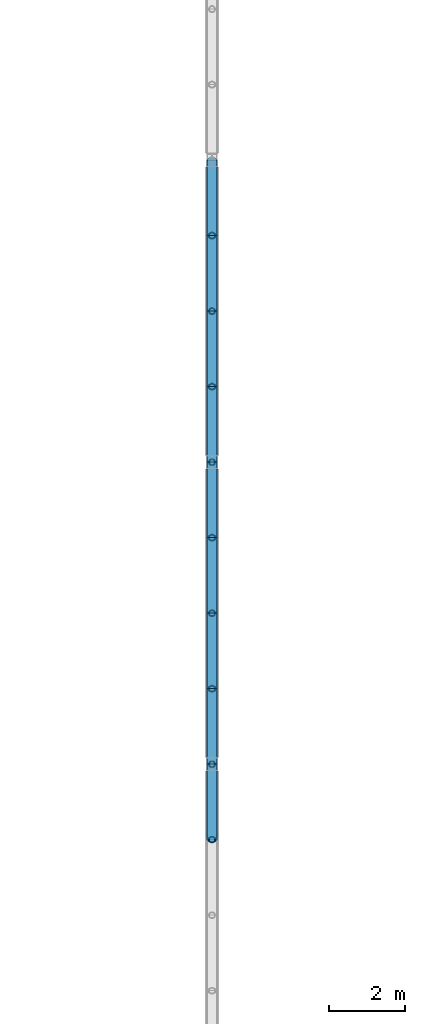
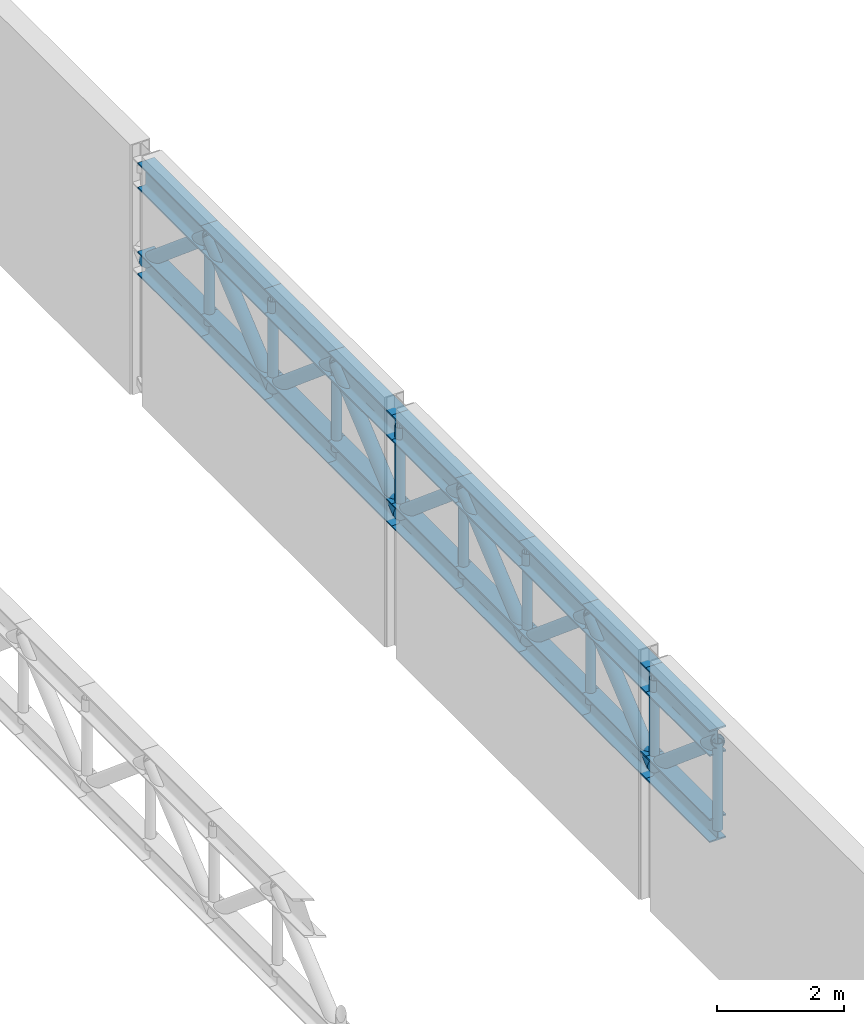
# One storey, part 87 of 143: 36 members.
"""IFC4 building model written with IfcOpenShell, lengths in metres."""

from ifc_helpers import new_model, si_unit, derived_unit, direction, frame, origin, origin_2d, place, context, subcontext, project, spatial, hollow_circle, i_section, extrude, material, material_profile, profile_set, type_object, element, save


model = new_model("IFC4")

# Units and contexts
model_context = context("Model", 3, precision=1e-05, world=origin(), true_north=direction((0.0, 1.0)))
body_context = subcontext(model_context, "Body", "Model", "MODEL_VIEW")
ifc_project = project(units=[si_unit("LENGTHUNIT", "METRE"), si_unit("AREAUNIT", "SQUARE_METRE"), si_unit("VOLUMEUNIT", "CUBIC_METRE"), si_unit("PLANEANGLEUNIT", "RADIAN"), si_unit("MASSUNIT", "GRAM", prefix="KILO"), derived_unit("THERMALTRANSMITTANCEUNIT", [(si_unit("POWERUNIT", "WATT"), 1), (si_unit("LENGTHUNIT", "METRE"), -2), (si_unit("THERMODYNAMICTEMPERATUREUNIT", "KELVIN"), -1)])], contexts=[model_context])

# Site, building, storey
site_placement = place(None, origin())
site = spatial("IfcSite", under=ifc_project, at=site_placement, CompositionType="ELEMENT")
building_placement = place(site_placement, origin())
building = spatial("IfcBuilding", under=site, at=building_placement, Name="Keldorne Ridge Multi-Sports Centre", CompositionType="ELEMENT")
storey_placement = place(building_placement, frame((0.0, 0.0, 4.800048828125)))
storey = spatial("IfcBuildingStorey", under=building, at=storey_placement, Name="L01", CompositionType="ELEMENT", Elevation=4.800048828125)

# Members
ifc_material = material(Name="Steel S355", Category="steel")
ifc_material_profile_1 = material_profile(ifc_material, i_section(OverallWidth=0.300048828125, OverallDepth=0.5, WebThickness=0.014404296875, FlangeThickness=0.028076171875, FilletRadius=0.027099609375, at=origin_2d()), Name="HEB 500")
ifc_profile_set_1 = profile_set([ifc_material_profile_1], Name="Steel S355")
member_type_1 = type_object("IfcMemberType", Name="MEM-TC-03", PredefinedType="CHORD", material=ifc_profile_set_1)
for number, where, z_axis, x_axis, name in (
    (1, (168.0, 20.0, 4.31005859375), (0.0, 1.0, 0.0), (-1.0, 0.0, 0.0), "Stacked Courts Warren TRUSS WT-L02-09 top chord 8"),
    (2, (168.0, 22.0, 4.31005859375), (0.0, 1.0, 0.0), (-1.0, 0.0, 0.0), "Stacked Courts Warren TRUSS WT-L02-09 top chord 9"),
    (3, (168.0, 24.0, 4.31005859375), (0.0, 1.0, 0.0), (-1.0, 0.0, 0.0), "Stacked Courts Warren TRUSS WT-L02-09 top chord 10"),
    (4, (168.0, 26.0, 4.31005859375), (0.0, 1.0, 0.0), (-1.0, 0.0, 0.0), "Stacked Courts Warren TRUSS WT-L02-09 top chord 11"),
    (5, (168.0, 28.0, 4.31005859375), (0.0, 1.0, 0.0), (-1.0, 0.0, 0.0), "Stacked Courts Warren TRUSS WT-L02-09 top chord 12"),
    (6, (168.0, 30.0, 4.31005859375), (0.0, 1.0, 0.0), (-1.0, 0.0, 0.0), "Stacked Courts Warren TRUSS WT-L02-09 top chord 13"),
    (7, (168.0, 32.0, 4.31005859375), (0.0, 1.0, 0.0), (-1.0, 0.0, 0.0), "Stacked Courts Warren TRUSS WT-L02-09 top chord 14"),
    (8, (168.0, 34.0, 4.31005859375), (0.0, 1.0, 0.0), (-1.0, 0.0, 0.0), "Stacked Courts Warren TRUSS WT-L02-09 top chord 15"),
    (9, (168.0, 36.0, 4.31005859375), (0.0, 1.0, 0.0), (-1.0, 0.0, 0.0), "Stacked Courts Warren TRUSS WT-L02-09 top chord 16"),
):
    element("IfcMember", number, at=place(storey_placement, frame(where, z_axis=z_axis, x_axis=x_axis)), inside=storey, type_object=member_type_1, Name=name, PredefinedType="CHORD", context=body_context, shape_type="SweptSolid", body=[
        extrude(i_section(OverallWidth=0.300048828125, OverallDepth=0.5, WebThickness=0.014404296875, FlangeThickness=0.028076171875, FilletRadius=0.027099609375, at=origin_2d()), origin(), (0.0, 0.0, 1.0), 2.0),
    ])
ifc_material_profile_2 = material_profile(ifc_material, i_section(OverallWidth=0.300048828125, OverallDepth=0.449951171875, WebThickness=0.013916015625, FlangeThickness=0.02587890625, FilletRadius=0.027099609375, at=origin_2d()), Name="HEB 450")
ifc_profile_set_2 = profile_set([ifc_material_profile_2], Name="Steel S355")
member_type_2 = type_object("IfcMemberType", Name="MEM-TC-04", PredefinedType="CHORD", material=ifc_profile_set_2)
for number, where, z_axis, x_axis, name in (
    (10, (168.0, 20.0, 2.6298828125), (0.0, 1.0, 0.0), (-1.0, 0.0, 0.0), "Stacked Courts Warren TRUSS WT-L02-09 bottom chord 8"),
    (11, (168.0, 22.0, 2.6298828125), (0.0, 1.0, 0.0), (-1.0, 0.0, 0.0), "Stacked Courts Warren TRUSS WT-L02-09 bottom chord 9"),
    (12, (168.0, 24.0, 2.6298828125), (0.0, 1.0, 0.0), (-1.0, 0.0, 0.0), "Stacked Courts Warren TRUSS WT-L02-09 bottom chord 10"),
    (13, (168.0, 26.0, 2.6298828125), (0.0, 1.0, 0.0), (-1.0, 0.0, 0.0), "Stacked Courts Warren TRUSS WT-L02-09 bottom chord 11"),
    (14, (168.0, 28.0, 2.6298828125), (0.0, 1.0, 0.0), (-1.0, 0.0, 0.0), "Stacked Courts Warren TRUSS WT-L02-09 bottom chord 12"),
    (15, (168.0, 30.0, 2.6298828125), (0.0, 1.0, 0.0), (-1.0, 0.0, 0.0), "Stacked Courts Warren TRUSS WT-L02-09 bottom chord 13"),
    (16, (168.0, 32.0, 2.6298828125), (0.0, 1.0, 0.0), (-1.0, 0.0, 0.0), "Stacked Courts Warren TRUSS WT-L02-09 bottom chord 14"),
    (17, (168.0, 34.0, 2.6298828125), (0.0, 1.0, 0.0), (-1.0, 0.0, 0.0), "Stacked Courts Warren TRUSS WT-L02-09 bottom chord 15"),
    (18, (168.0, 36.0, 2.6298828125), (0.0, 1.0, 0.0), (-1.0, 0.0, 0.0), "Stacked Courts Warren TRUSS WT-L02-09 bottom chord 16"),
):
    element("IfcMember", number, at=place(storey_placement, frame(where, z_axis=z_axis, x_axis=x_axis)), inside=storey, type_object=member_type_2, Name=name, PredefinedType="CHORD", context=body_context, shape_type="SweptSolid", body=[
        extrude(i_section(OverallWidth=0.300048828125, OverallDepth=0.449951171875, WebThickness=0.013916015625, FlangeThickness=0.02587890625, FilletRadius=0.027099609375, at=origin_2d()), origin(), (0.0, 0.0, 1.0), 2.0),
    ])
ifc_material_profile_3 = material_profile(ifc_material, hollow_circle(Radius=0.122314453125, WallThickness=0.012451171875, at=origin_2d()), Name="CHS 244.5x12.5")
ifc_profile_set_3 = profile_set([ifc_material_profile_3], Name="Steel S355")
member_type_3 = type_object("IfcMemberType", Name="MEM-TD-02", PredefinedType="BRACE", material=ifc_profile_set_3)
for number, where, z_axis, x_axis, name in (
    (19, (168.0, 20.0, 4.31005859375), (0.0, 0.765671721121, -0.643231541108), (-1.0, 0.0, 0.0), "Stacked Courts Warren TRUSS WT-L02-09 diagonal 8"),
    (20, (168.0, 22.0, 2.6298828125), (0.0, 0.765671721121, 0.643231541108), (-1.0, 0.0, 0.0), "Stacked Courts Warren TRUSS WT-L02-09 diagonal 9"),
    (21, (168.0, 24.0, 4.31005859375), (0.0, 0.765671721121, -0.643231541108), (-1.0, 0.0, 0.0), "Stacked Courts Warren TRUSS WT-L02-09 diagonal 10"),
    (22, (168.0, 26.0, 2.6298828125), (0.0, 0.765671721121, 0.643231541108), (-1.0, 0.0, 0.0), "Stacked Courts Warren TRUSS WT-L02-09 diagonal 11"),
    (23, (168.0, 28.0, 4.31005859375), (0.0, 0.765671721121, -0.643231541108), (-1.0, 0.0, 0.0), "Stacked Courts Warren TRUSS WT-L02-09 diagonal 12"),
    (24, (168.0, 30.0, 2.6298828125), (0.0, 0.765671721121, 0.643231541108), (-1.0, 0.0, 0.0), "Stacked Courts Warren TRUSS WT-L02-09 diagonal 13"),
    (25, (168.0, 32.0, 4.31005859375), (0.0, 0.765671721121, -0.643231541108), (-1.0, 0.0, 0.0), "Stacked Courts Warren TRUSS WT-L02-09 diagonal 14"),
    (26, (168.0, 34.0, 2.6298828125), (0.0, 0.765671721121, 0.643231541108), (-1.0, 0.0, 0.0), "Stacked Courts Warren TRUSS WT-L02-09 diagonal 15"),
    (27, (168.0, 36.0, 4.31005859375), (0.0, 0.765671721121, -0.643231541108), (-1.0, 0.0, 0.0), "Stacked Courts Warren TRUSS WT-L02-09 diagonal 16"),
):
    element("IfcMember", number, at=place(storey_placement, frame(where, z_axis=z_axis, x_axis=x_axis)), inside=storey, type_object=member_type_3, Name=name, PredefinedType="BRACE", context=body_context, shape_type="SweptSolid", body=[
        extrude(hollow_circle(Radius=0.122314453125, WallThickness=0.012451171875, at=origin_2d()), origin(), (0.0, 0.0, 1.0), 2.612060546875),
    ])
ifc_material_profile_4 = material_profile(ifc_material, hollow_circle(Radius=0.084228515625, WallThickness=0.010009765625, at=origin_2d()), Name="CHS 168.3x10")
ifc_profile_set_4 = profile_set([ifc_material_profile_4], Name="Steel S355")
member_type_4 = type_object("IfcMemberType", Name="MEM-TV-01", PredefinedType="STRUT", material=ifc_profile_set_4)
for number, where, z_axis, x_axis, name in (
    (28, (168.0, 20.0, 2.6298828125), (0.0, 0.0, 1.0), (1.0, 0.0, 0.0), "Stacked Courts Warren TRUSS WT-L02-09 post 8"),
    (29, (168.0, 22.0, 2.6298828125), (0.0, 0.0, 1.0), (1.0, 0.0, 0.0), "Stacked Courts Warren TRUSS WT-L02-09 post 9"),
    (30, (168.0, 24.0, 2.6298828125), (0.0, 0.0, 1.0), (1.0, 0.0, 0.0), "Stacked Courts Warren TRUSS WT-L02-09 post 10"),
    (31, (168.0, 26.0, 2.6298828125), (0.0, 0.0, 1.0), (1.0, 0.0, 0.0), "Stacked Courts Warren TRUSS WT-L02-09 post 11"),
    (32, (168.0, 28.0, 2.6298828125), (0.0, 0.0, 1.0), (1.0, 0.0, 0.0), "Stacked Courts Warren TRUSS WT-L02-09 post 12"),
    (33, (168.0, 30.0, 2.6298828125), (0.0, 0.0, 1.0), (1.0, 0.0, 0.0), "Stacked Courts Warren TRUSS WT-L02-09 post 13"),
    (34, (168.0, 32.0, 2.6298828125), (0.0, 0.0, 1.0), (1.0, 0.0, 0.0), "Stacked Courts Warren TRUSS WT-L02-09 post 14"),
    (35, (168.0, 34.0, 2.6298828125), (0.0, 0.0, 1.0), (1.0, 0.0, 0.0), "Stacked Courts Warren TRUSS WT-L02-09 post 15"),
    (36, (168.0, 36.0, 2.6298828125), (0.0, 0.0, 1.0), (1.0, 0.0, 0.0), "Stacked Courts Warren TRUSS WT-L02-09 post 16"),
):
    element("IfcMember", number, at=place(storey_placement, frame(where, z_axis=z_axis, x_axis=x_axis)), inside=storey, type_object=member_type_4, Name=name, PredefinedType="STRUT", context=body_context, shape_type="SweptSolid", body=[
        extrude(hollow_circle(Radius=0.084228515625, WallThickness=0.010009765625, at=origin_2d()), origin(), (0.0, 0.0, 1.0), 1.68017578125),
    ])

save(model, "model.ifc")
